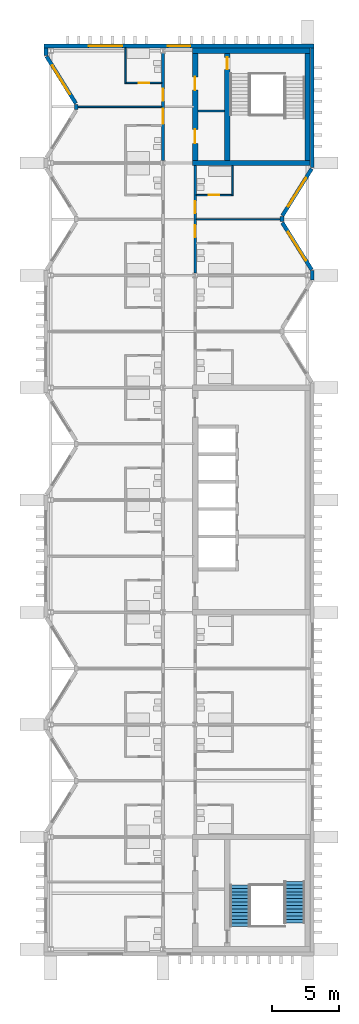
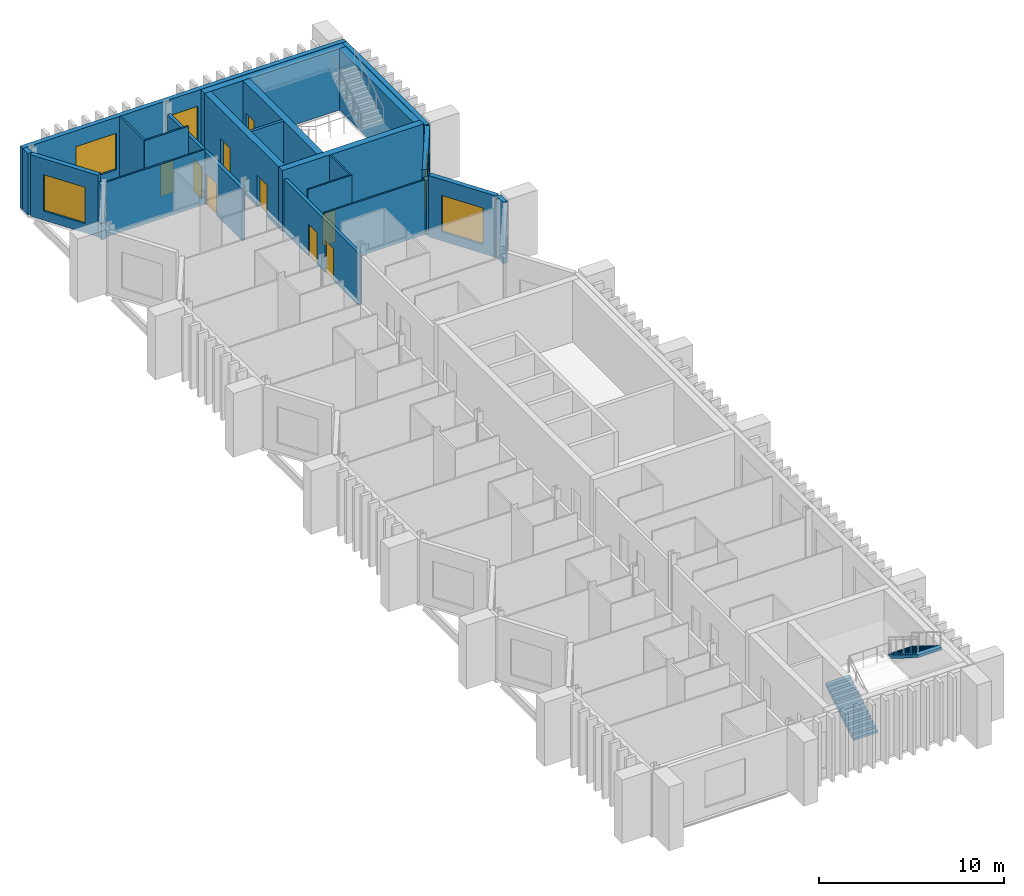
# One storey, part 8 of 11: 23 walls, 9 doors, 5 windows, 2 stair flights, 14 openings, 1 element without a shape of its own.
"""IFC4 building model written with IfcOpenShell, lengths in metres."""

from ifc_helpers import new_model, si_unit, direction, frame, frame_2d, origin, place, context, subcontext, project, spatial, polyline, rectangle, outline, extrude, material, layer, layer_set, type_object, element, fill, aggregate, save


model = new_model("IFC4")

# Units and contexts
model_context = context("Model", 3, precision=1e-05, world=origin(), true_north=direction((0.0, 1.0)))
body_context = subcontext(model_context, "Body", "Model", "MODEL_VIEW")
ifc_project = project(units=[si_unit("LENGTHUNIT", "METRE"), si_unit("AREAUNIT", "SQUARE_METRE"), si_unit("VOLUMEUNIT", "CUBIC_METRE"), si_unit("PLANEANGLEUNIT", "RADIAN"), si_unit("MASSUNIT", "GRAM", prefix="KILO")], contexts=[model_context])

# Site, building, storey
site_placement = place(None, origin())
site = spatial("IfcSite", under=ifc_project, at=site_placement, CompositionType="ELEMENT")
building_placement = place(site_placement, origin())
building = spatial("IfcBuilding", under=site, at=building_placement, Name="Cresset Court Congress Hotel", CompositionType="ELEMENT")
storey_placement = place(building_placement, frame((0.0, 0.0, 39.60009765625)))
storey = spatial("IfcBuildingStorey", under=building, at=storey_placement, Name="L09", CompositionType="ELEMENT", Elevation=39.60009765625)

# Wall, openings, doors
ifc_material_1 = material(Name="Gypsum board partition")
ifc_layer_1 = layer(ifc_material_1, 0.199951171875)
ifc_layer_set_1 = layer_set([ifc_layer_1], Name="Corridor wall 200")
wall_type_1 = type_object("IfcWallType", Name="Corridor wall 200", PredefinedType="PARTITIONING", material=ifc_layer_set_1)
wall_1_placement = place(storey_placement, frame((165.60009765625, 58.97509765625, 0.0), z_axis=(0.0, 0.0, 1.0), x_axis=(0.0, 1.0, 0.0)))
wall_1 = element("IfcWall", 1, at=wall_1_placement, inside=storey, type_object=wall_type_1, Name="A.wl.L09.077", PredefinedType="PARTITIONING", context=body_context, shape_type="SweptSolid", body=[
    extrude(rectangle(XDim=8.0498046875, YDim=0.199951171875, at=frame_2d((4.02490234375, 0.0))), origin(), (0.0, 0.0, 1.0), 3.449951171875),
])
opening_1_placement = place(wall_1_placement, frame((2.75, 0.0, 0.0)))
opening_1 = element("IfcOpeningElement", 2, at=opening_1_placement, cuts=wall_1, Name="Opening DA-09-30", PredefinedType="OPENING", context=body_context, shape_type="SweptSolid", body=[
    extrude(rectangle(XDim=1.14990234375, YDim=2.10009765625, at=frame_2d((0.574951171875, 1.050048828125))), frame((0.0, 0.10986328125, 0.0), z_axis=(0.0, -1.0, 0.0), x_axis=(1.0, 0.0, 0.0)), (0.0, 0.0, 1.0), 0.219970703125),
])
opening_2_placement = place(wall_1_placement, frame((4.47509765625, 0.0, 0.0)))
opening_2 = element("IfcOpeningElement", 3, at=opening_2_placement, cuts=wall_1, Name="Opening DA-09-32", PredefinedType="OPENING", context=body_context, shape_type="SweptSolid", body=[
    extrude(rectangle(XDim=0.89990234375, YDim=2.10009765625, at=frame_2d((0.449951171875, 1.050048828125))), frame((0.0, 0.10986328125, 0.0), z_axis=(0.0, -1.0, 0.0), x_axis=(1.0, 0.0, 0.0)), (0.0, 0.0, 1.0), 0.219970703125),
])
ifc_material_2 = material(Name="timber", Category="wood")
door_type_1 = type_object("IfcDoorType", Name="Accessible guest-room entry door 1150x2100 FD30S", OperationType="SINGLE_SWING_LEFT", PredefinedType="DOOR", material=ifc_material_2)
door_1_placement = place(opening_1_placement, origin())
door_1 = element("IfcDoor", 4, at=door_1_placement, inside=storey, type_object=door_type_1, Name="Door DA-09-30", OperationType="SINGLE_SWING_RIGHT", OverallHeight=2.10009765625, OverallWidth=1.14990234375, PredefinedType="DOOR", context=body_context, shape_type="SweptSolid", body=[
    extrude(rectangle(XDim=1.14990234375, YDim=2.10009765625, at=frame_2d((0.574951171875, 1.050048828125))), frame((0.0, 0.02490234375, 0.0), z_axis=(0.0, -1.0, 0.0), x_axis=(1.0, 0.0, 0.0)), (0.0, 0.0, 1.0), 0.050048828125),
])
fill(opening_1, door_1)
ifc_material_3 = material(Name="timber", Category="wood")
door_type_2 = type_object("IfcDoorType", Name="Guest-room entry door 900x2100 FD30S", OperationType="SINGLE_SWING_LEFT", PredefinedType="DOOR", material=ifc_material_3)
door_2_placement = place(opening_2_placement, origin())
door_2 = element("IfcDoor", 5, at=door_2_placement, inside=storey, type_object=door_type_2, Name="Door DA-09-32", OperationType="SINGLE_SWING_LEFT", OverallHeight=2.10009765625, OverallWidth=0.89990234375, PredefinedType="DOOR", context=body_context, shape_type="SweptSolid", body=[
    extrude(rectangle(XDim=0.89990234375, YDim=2.10009765625, at=frame_2d((0.449951171875, 1.050048828125))), frame((0.0, 0.02490234375, 0.0), z_axis=(0.0, -1.0, 0.0), x_axis=(1.0, 0.0, 0.0)), (0.0, 0.0, 1.0), 0.050048828125),
])
fill(opening_2, door_2)

wall_2_placement = place(storey_placement, frame((168.0, 50.574951171875, 0.0), z_axis=(0.0, 0.0, 1.0), x_axis=(0.0, 1.0, 0.0)))
wall_2 = element("IfcWall", 6, at=wall_2_placement, inside=storey, type_object=wall_type_1, Name="A.wl.L09.081", PredefinedType="PARTITIONING", context=body_context, shape_type="SweptSolid", body=[
    extrude(rectangle(XDim=8.025146484375, YDim=0.199951171875, at=frame_2d((4.0126953125, 0.0))), origin(), (0.0, 0.0, 1.0), 3.449951171875),
])
opening_3_placement = place(wall_2_placement, frame((2.675048828125, 0.0, 0.0)))
opening_3 = element("IfcOpeningElement", 7, at=opening_3_placement, cuts=wall_2, Name="Opening DA-09-46", PredefinedType="OPENING", context=body_context, shape_type="SweptSolid", body=[
    extrude(rectangle(XDim=0.89990234375, YDim=2.10009765625, at=frame_2d((0.449951171875, 1.050048828125))), frame((0.0, 0.10986328125, 0.0), z_axis=(0.0, -1.0, 0.0), x_axis=(1.0, 0.0, 0.0)), (0.0, 0.0, 1.0), 0.219970703125),
])
opening_4_placement = place(wall_2_placement, frame((4.47509765625, 0.0, 0.0)))
opening_4 = element("IfcOpeningElement", 8, at=opening_4_placement, cuts=wall_2, Name="Opening DA-09-48", PredefinedType="OPENING", context=body_context, shape_type="SweptSolid", body=[
    extrude(rectangle(XDim=0.89990234375, YDim=2.10009765625, at=frame_2d((0.449951171875, 1.050048828125))), frame((0.0, 0.10986328125, 0.0), z_axis=(0.0, -1.0, 0.0), x_axis=(1.0, 0.0, 0.0)), (0.0, 0.0, 1.0), 0.219970703125),
])
door_3_placement = place(opening_3_placement, origin())
door_3 = element("IfcDoor", 9, at=door_3_placement, inside=storey, type_object=door_type_2, Name="Door DA-09-46", OperationType="SINGLE_SWING_RIGHT", OverallHeight=2.10009765625, OverallWidth=0.89990234375, PredefinedType="DOOR", context=body_context, shape_type="SweptSolid", body=[
    extrude(rectangle(XDim=0.89990234375, YDim=2.10009765625, at=frame_2d((0.449951171875, 1.050048828125))), frame((0.0, 0.02490234375, 0.0), z_axis=(0.0, -1.0, 0.0), x_axis=(1.0, 0.0, 0.0)), (0.0, 0.0, 1.0), 0.050048828125),
])
fill(opening_3, door_3)
door_4_placement = place(opening_4_placement, origin())
door_4 = element("IfcDoor", 10, at=door_4_placement, inside=storey, type_object=door_type_2, Name="Door DA-09-48", OperationType="SINGLE_SWING_LEFT", OverallHeight=2.10009765625, OverallWidth=0.89990234375, PredefinedType="DOOR", context=body_context, shape_type="SweptSolid", body=[
    extrude(rectangle(XDim=0.89990234375, YDim=2.10009765625, at=frame_2d((0.449951171875, 1.050048828125))), frame((0.0, 0.02490234375, 0.0), z_axis=(0.0, -1.0, 0.0), x_axis=(1.0, 0.0, 0.0)), (0.0, 0.0, 1.0), 0.050048828125),
])
fill(opening_4, door_4)

# Wall
ifc_material_4 = material(Name="Gypsum board partition")
ifc_layer_2 = layer(ifc_material_4, 0.10009765625)
ifc_layer_set_2 = layer_set([ifc_layer_2], Name="En-suite wall 100")
wall_type_2 = type_object("IfcWallType", Name="En-suite wall 100", PredefinedType="PARTITIONING", material=ifc_layer_set_2)
wall_3_placement = place(storey_placement, frame((162.800048828125, 64.800048828125, 0.0), z_axis=(0.0, 0.0, 1.0), x_axis=(0.0, 1.0, 0.0)))
element("IfcWall", 11, at=wall_3_placement, inside=storey, type_object=wall_type_2, Name="A.wl.L09.031", PredefinedType="PARTITIONING", context=body_context, shape_type="SweptSolid", body=[
    extrude(rectangle(XDim=2.619873046875, YDim=0.10009765625, at=frame_2d((1.31005859375, 0.0))), origin(), (0.0, 0.0, 1.0), 4.0498046875),
])

# Wall, opening, door
wall_4_placement = place(storey_placement, frame((162.75, 64.800048828125, 0.0), z_axis=(0.0, 0.0, 1.0), x_axis=(1.0, 0.0, 0.0)))
wall_4 = element("IfcWall", 12, at=wall_4_placement, inside=storey, type_object=wall_type_2, Name="A.wl.L09.032", PredefinedType="PARTITIONING", context=body_context, shape_type="SweptSolid", body=[
    extrude(rectangle(XDim=2.75, YDim=0.10009765625, at=frame_2d((1.375, 0.0))), origin(), (0.0, 0.0, 1.0), 4.0498046875),
])
opening_5_placement = place(wall_4_placement, frame((1.030029296875, 0.0, 0.0)))
opening_5 = element("IfcOpeningElement", 13, at=opening_5_placement, cuts=wall_4, Name="Opening DA-09-31", PredefinedType="OPENING", context=body_context, shape_type="SweptSolid", body=[
    extrude(rectangle(XDim=0.800048828125, YDim=2.10009765625, at=frame_2d((0.39990234375, 1.050048828125))), frame((0.0, 0.06005859375, 0.0), z_axis=(0.0, -1.0, 0.0), x_axis=(1.0, 0.0, 0.0)), (0.0, 0.0, 1.0), 0.1201171875),
])
ifc_material_5 = material(Name="timber", Category="wood")
door_type_3 = type_object("IfcDoorType", Name="En-suite door 800x2100", OperationType="SINGLE_SWING_LEFT", PredefinedType="DOOR", material=ifc_material_5)
door_5_placement = place(opening_5_placement, origin())
door_5 = element("IfcDoor", 14, at=door_5_placement, inside=storey, type_object=door_type_3, Name="Door DA-09-31", OperationType="SINGLE_SWING_LEFT", OverallHeight=2.10009765625, OverallWidth=0.800048828125, PredefinedType="DOOR", context=body_context, shape_type="SweptSolid", body=[
    extrude(rectangle(XDim=0.800048828125, YDim=2.10009765625, at=frame_2d((0.39990234375, 1.050048828125))), frame((0.0, 0.02490234375, 0.0), z_axis=(0.0, -1.0, 0.0), x_axis=(1.0, 0.0, 0.0)), (0.0, 0.0, 1.0), 0.050048828125),
])
fill(opening_5, door_5)

# Wall
wall_5_placement = place(storey_placement, frame((170.800048828125, 56.39990234375, 0.0), z_axis=(0.0, 0.0, 1.0), x_axis=(0.0, 1.0, 0.0)))
element("IfcWall", 15, at=wall_5_placement, inside=storey, type_object=wall_type_2, Name="A.wl.L09.047", PredefinedType="PARTITIONING", context=body_context, shape_type="SweptSolid", body=[
    extrude(rectangle(XDim=2.2001953125, YDim=0.10009765625, at=frame_2d((1.10009765625, 0.0))), origin(), (0.0, 0.0, 1.0), 4.0498046875),
])

# Wall, opening, door
wall_6_placement = place(storey_placement, frame((170.85009765625, 56.39990234375, 0.0), z_axis=(0.0, 0.0, 1.0), x_axis=(-1.0, 0.0, 0.0)))
wall_6 = element("IfcWall", 16, at=wall_6_placement, inside=storey, type_object=wall_type_2, Name="A.wl.L09.048", PredefinedType="PARTITIONING", context=body_context, shape_type="SweptSolid", body=[
    extrude(rectangle(XDim=2.75, YDim=0.10009765625, at=frame_2d((1.375, 0.0))), origin(), (0.0, 0.0, 1.0), 4.0498046875),
])
opening_6_placement = place(wall_6_placement, frame((1.030029296875, 0.0, 0.0)))
opening_6 = element("IfcOpeningElement", 17, at=opening_6_placement, cuts=wall_6, Name="Opening DA-09-47", PredefinedType="OPENING", context=body_context, shape_type="SweptSolid", body=[
    extrude(rectangle(XDim=0.800048828125, YDim=2.10009765625, at=frame_2d((0.39990234375, 1.050048828125))), frame((0.0, 0.06005859375, 0.0), z_axis=(0.0, -1.0, 0.0), x_axis=(1.0, 0.0, 0.0)), (0.0, 0.0, 1.0), 0.1201171875),
])
door_6_placement = place(opening_6_placement, origin())
door_6 = element("IfcDoor", 18, at=door_6_placement, inside=storey, type_object=door_type_3, Name="Door DA-09-47", OperationType="SINGLE_SWING_LEFT", OverallHeight=2.10009765625, OverallWidth=0.800048828125, PredefinedType="DOOR", context=body_context, shape_type="SweptSolid", body=[
    extrude(rectangle(XDim=0.800048828125, YDim=2.10009765625, at=frame_2d((0.39990234375, 1.050048828125))), frame((0.0, 0.02490234375, 0.0), z_axis=(0.0, -1.0, 0.0), x_axis=(1.0, 0.0, 0.0)), (0.0, 0.0, 1.0), 0.050048828125),
])
fill(opening_6, door_6)

# Wall, opening, window
ifc_material_6 = material(Name="Precast concrete C50", Category="concrete")
ifc_layer_3 = layer(ifc_material_6, 0.280029296875)
ifc_layer_set_3 = layer_set([ifc_layer_3], Name="External wall 280")
wall_type_3 = type_object("IfcWallType", Name="External wall 280", PredefinedType="SOLIDWALL", material=ifc_layer_set_3)
wall_7_placement = place(storey_placement, frame((159.07861328125, 63.259033203125, 0.0), z_axis=(0.0, 0.0, 1.0), x_axis=(-0.529018946142, 0.848610013271, 0.0)))
wall_7 = element("IfcWall", 19, at=wall_7_placement, inside=storey, type_object=wall_type_3, Name="A.ew.L09.Wn.7.1", PredefinedType="SOLIDWALL", context=body_context, shape_type="SweptSolid", body=[
    extrude(rectangle(XDim=4.144287109375, YDim=0.280029296875, at=frame_2d((2.072265625, 0.0))), origin(), (0.0, 0.0, 1.0), 4.0498046875),
])
opening_7_placement = place(wall_7_placement, frame((0.812255859375, 0.0, 0.60009765625)))
opening_7 = element("IfcOpeningElement", 20, at=opening_7_placement, cuts=wall_7, Name="Opening NA-09-16", PredefinedType="OPENING", context=body_context, shape_type="SweptSolid", body=[
    extrude(rectangle(XDim=2.52001953125, YDim=2.39990234375, at=frame_2d((1.260009765625, 1.199951171875))), frame((0.0, 0.14990234375, 0.0), z_axis=(0.0, -1.0, 0.0), x_axis=(1.0, 0.0, 0.0)), (0.0, 0.0, 1.0), 0.300048828125),
])
ifc_material_7 = material(Name="Aluminium and glass", Category="aluminium")
window_type_1 = type_object("IfcWindowType", Name="Window 2520x2400", PartitioningType="SINGLE_PANEL", PredefinedType="WINDOW", material=ifc_material_7)
window_1_placement = place(opening_7_placement, origin())
window_1 = element("IfcWindow", 21, at=window_1_placement, inside=storey, type_object=window_type_1, Name="Window NA-09-16", OverallHeight=2.39990234375, OverallWidth=2.52001953125, PartitioningType="SINGLE_PANEL", PredefinedType="WINDOW", context=body_context, shape_type="SweptSolid", body=[
    extrude(rectangle(XDim=2.52001953125, YDim=2.39990234375, at=frame_2d((1.260009765625, 1.199951171875))), frame((0.0, 0.030029296875, 0.0), z_axis=(0.0, -1.0, 0.0), x_axis=(1.0, 0.0, 0.0)), (0.0, 0.0, 1.0), 0.06005859375),
])
fill(opening_7, window_1)

# Walls
wall_8_placement = place(storey_placement, frame((159.099609375, 62.815185546875, 0.0), z_axis=(0.0, 0.0, 1.0), x_axis=(0.0, 1.0, 0.0)))
element("IfcWall", 22, at=wall_8_placement, inside=storey, type_object=wall_type_3, Name="A.ew.L09.Wn.7.2", PredefinedType="SOLIDWALL", context=body_context, shape_type="SweptSolid", body=[
    extrude(rectangle(XDim=0.36962890625, YDim=0.280029296875, at=frame_2d((0.184814453125, 0.0))), origin(), (0.0, 0.0, 1.0), 3.60400390625),
])
wall_9_placement = place(storey_placement, frame((156.840087890625, 66.85009765625, 0.0), z_axis=(0.0, 0.0, 1.0), x_axis=(0.0, 1.0, 0.0)))
element("IfcWall", 23, at=wall_9_placement, inside=storey, type_object=wall_type_3, Name="A.ew.L09.W.6", PredefinedType="SOLIDWALL", context=body_context, shape_type="SweptSolid", body=[
    extrude(rectangle(XDim=0.56982421875, YDim=0.280029296875, at=frame_2d((0.284912109375, 0.0))), origin(), (0.0, 0.0, 1.0), 4.0498046875),
])
wall_10_placement = place(storey_placement, frame((176.760009765625, 50.050048828125, 0.0), z_axis=(0.0, 0.0, 1.0), x_axis=(0.0, 1.0, 0.0)))
element("IfcWall", 24, at=wall_10_placement, inside=storey, type_object=wall_type_3, Name="A.ew.L09.E.2", PredefinedType="SOLIDWALL", context=body_context, shape_type="SweptSolid", body=[
    extrude(rectangle(XDim=0.699951171875, YDim=0.280029296875, at=frame_2d((0.35009765625, 0.0))), origin(), (0.0, 0.0, 1.0), 4.0498046875),
])

# Wall, opening, window
wall_11_placement = place(storey_placement, frame((176.7138671875, 50.82421875, 0.0), z_axis=(0.0, 0.0, 1.0), x_axis=(-0.529018946142, 0.848610013271, 0.0)))
wall_11 = element("IfcWall", 25, at=wall_11_placement, inside=storey, type_object=wall_type_3, Name="A.ew.L09.En.6.0", PredefinedType="SOLIDWALL", context=body_context, shape_type="SweptSolid", body=[
    extrude(rectangle(XDim=4.144287109375, YDim=0.280029296875, at=frame_2d((2.072265625, 0.0))), origin(), (0.0, 0.0, 1.0), 4.0498046875),
])
opening_8_placement = place(wall_11_placement, frame((0.81201171875, 0.0, 0.60009765625)))
opening_8 = element("IfcOpeningElement", 26, at=opening_8_placement, cuts=wall_11, Name="Opening NA-09-23", PredefinedType="OPENING", context=body_context, shape_type="SweptSolid", body=[
    extrude(rectangle(XDim=2.52001953125, YDim=2.39990234375, at=frame_2d((1.260009765625, 1.199951171875))), frame((0.0, 0.14990234375, 0.0), z_axis=(0.0, -1.0, 0.0), x_axis=(1.0, 0.0, 0.0)), (0.0, 0.0, 1.0), 0.300048828125),
])
window_2_placement = place(opening_8_placement, origin())
window_2 = element("IfcWindow", 27, at=window_2_placement, inside=storey, type_object=window_type_1, Name="Window NA-09-23", OverallHeight=2.39990234375, OverallWidth=2.52001953125, PartitioningType="SINGLE_PANEL", PredefinedType="WINDOW", context=body_context, shape_type="SweptSolid", body=[
    extrude(rectangle(XDim=2.52001953125, YDim=2.39990234375, at=frame_2d((1.260009765625, 1.199951171875))), frame((0.0, 0.030029296875, 0.0), z_axis=(0.0, -1.0, 0.0), x_axis=(1.0, 0.0, 0.0)), (0.0, 0.0, 1.0), 0.06005859375),
])
fill(opening_8, window_2)

wall_12_placement = place(storey_placement, frame((174.521484375, 54.85888671875, 0.0), z_axis=(0.0, 0.0, 1.0), x_axis=(0.528992500338, 0.848626498871, 0.0)))
wall_12 = element("IfcWall", 28, at=wall_12_placement, inside=storey, type_object=wall_type_3, Name="A.ew.L09.En.6.1", PredefinedType="SOLIDWALL", context=body_context, shape_type="SweptSolid", body=[
    extrude(rectangle(XDim=4.14453125, YDim=0.280029296875, at=frame_2d((2.072265625, 0.0))), origin(), (0.0, 0.0, 1.0), 4.0498046875),
])
opening_9_placement = place(wall_12_placement, frame((0.81201171875, 0.0, 0.60009765625)))
opening_9 = element("IfcOpeningElement", 29, at=opening_9_placement, cuts=wall_12, Name="Opening NA-09-24", PredefinedType="OPENING", context=body_context, shape_type="SweptSolid", body=[
    extrude(rectangle(XDim=2.52001953125, YDim=2.39990234375, at=frame_2d((1.260009765625, 1.199951171875))), frame((0.0, 0.14990234375, 0.0), z_axis=(0.0, -1.0, 0.0), x_axis=(1.0, 0.0, 0.0)), (0.0, 0.0, 1.0), 0.300048828125),
])
window_3_placement = place(opening_9_placement, origin())
window_3 = element("IfcWindow", 30, at=window_3_placement, inside=storey, type_object=window_type_1, Name="Window NA-09-24", OverallHeight=2.39990234375, OverallWidth=2.52001953125, PartitioningType="SINGLE_PANEL", PredefinedType="WINDOW", context=body_context, shape_type="SweptSolid", body=[
    extrude(rectangle(XDim=2.52001953125, YDim=2.39990234375, at=frame_2d((1.260009765625, 1.199951171875))), frame((0.0, 0.030029296875, 0.0), z_axis=(0.0, -1.0, 0.0), x_axis=(1.0, 0.0, 0.0)), (0.0, 0.0, 1.0), 0.06005859375),
])
fill(opening_9, window_3)

# Walls
wall_13_placement = place(storey_placement, frame((174.500244140625, 54.4150390625, 0.0), z_axis=(0.0, 0.0, 1.0), x_axis=(0.0, 1.0, 0.0)))
element("IfcWall", 31, at=wall_13_placement, inside=storey, type_object=wall_type_3, Name="A.ew.L09.En.6.2", PredefinedType="SOLIDWALL", context=body_context, shape_type="SweptSolid", body=[
    extrude(rectangle(XDim=0.369873046875, YDim=0.280029296875, at=frame_2d((0.18505859375, 0.0))), origin(), (0.0, 0.0, 1.0), 3.60400390625),
])
wall_14_placement = place(storey_placement, frame((176.760009765625, 58.449951171875, 0.0), z_axis=(0.0, 0.0, 1.0), x_axis=(0.0, 1.0, 0.0)))
element("IfcWall", 32, at=wall_14_placement, inside=storey, type_object=wall_type_3, Name="A.ew.L09.E.3", PredefinedType="SOLIDWALL", context=body_context, shape_type="SweptSolid", body=[
    extrude(rectangle(XDim=8.969970703125, YDim=0.280029296875, at=frame_2d((4.48486328125, 0.0))), origin(), (0.0, 0.0, 1.0), 4.0498046875),
])

# Wall, openings, windows
ifc_material_8 = material(Name="Precast concrete C50", Category="concrete")
ifc_layer_4 = layer(ifc_material_8, 0.280029296875)
ifc_layer_set_4 = layer_set([ifc_layer_4], Name="Gable end wall 280")
wall_type_4 = type_object("IfcWallType", Name="Gable end wall 280", PredefinedType="SOLIDWALL", material=ifc_layer_set_4)
wall_15_placement = place(storey_placement, frame((156.699951171875, 67.56005859375, 0.0), z_axis=(0.0, 0.0, 1.0), x_axis=(1.0, 0.0, 0.0)))
wall_15 = element("IfcWall", 33, at=wall_15_placement, inside=storey, type_object=wall_type_4, Name="A.ew.L09.N.1", PredefinedType="SOLIDWALL", context=body_context, shape_type="SweptSolid", body=[
    extrude(rectangle(XDim=20.199951171875, YDim=0.280029296875, at=frame_2d((10.10009765625, 0.0))), origin(), (0.0, 0.0, 1.0), 4.0498046875),
])
opening_10_placement = place(wall_15_placement, frame((9.260009765625, 0.0, 0.60009765625)))
opening_10 = element("IfcOpeningElement", 34, at=opening_10_placement, cuts=wall_15, Name="Opening NA-09-27", PredefinedType="OPENING", context=body_context, shape_type="SweptSolid", body=[
    extrude(rectangle(XDim=1.679931640625, YDim=2.39990234375, at=frame_2d((0.83984375, 1.199951171875))), frame((0.0, 0.14990234375, 0.0), z_axis=(0.0, -1.0, 0.0), x_axis=(1.0, 0.0, 0.0)), (0.0, 0.0, 1.0), 0.300048828125),
])
opening_11_placement = place(wall_15_placement, frame((3.340087890625, 0.0, 0.60009765625)))
opening_11 = element("IfcOpeningElement", 35, at=opening_11_placement, cuts=wall_15, Name="Opening NA-09-28", PredefinedType="OPENING", context=body_context, shape_type="SweptSolid", body=[
    extrude(rectangle(XDim=2.52001953125, YDim=2.39990234375, at=frame_2d((1.260009765625, 1.199951171875))), frame((0.0, 0.14990234375, 0.0), z_axis=(0.0, -1.0, 0.0), x_axis=(1.0, 0.0, 0.0)), (0.0, 0.0, 1.0), 0.300048828125),
])
ifc_material_9 = material(Name="Aluminium and glass", Category="aluminium")
window_type_2 = type_object("IfcWindowType", Name="Window 1680x2400", PartitioningType="SINGLE_PANEL", PredefinedType="WINDOW", material=ifc_material_9)
window_4_placement = place(opening_10_placement, origin())
window_4 = element("IfcWindow", 36, at=window_4_placement, inside=storey, type_object=window_type_2, Name="Window NA-09-27", OverallHeight=2.39990234375, OverallWidth=1.679931640625, PartitioningType="SINGLE_PANEL", PredefinedType="WINDOW", context=body_context, shape_type="SweptSolid", body=[
    extrude(rectangle(XDim=1.679931640625, YDim=2.39990234375, at=frame_2d((0.83984375, 1.199951171875))), frame((0.0, 0.030029296875, 0.0), z_axis=(0.0, -1.0, 0.0), x_axis=(1.0, 0.0, 0.0)), (0.0, 0.0, 1.0), 0.06005859375),
])
fill(opening_10, window_4)
window_5_placement = place(opening_11_placement, origin())
window_5 = element("IfcWindow", 37, at=window_5_placement, inside=storey, type_object=window_type_1, Name="Window NA-09-28", OverallHeight=2.39990234375, OverallWidth=2.52001953125, PartitioningType="SINGLE_PANEL", PredefinedType="WINDOW", context=body_context, shape_type="SweptSolid", body=[
    extrude(rectangle(XDim=2.52001953125, YDim=2.39990234375, at=frame_2d((1.260009765625, 1.199951171875))), frame((0.0, 0.030029296875, 0.0), z_axis=(0.0, -1.0, 0.0), x_axis=(1.0, 0.0, 0.0)), (0.0, 0.0, 1.0), 0.06005859375),
])
fill(opening_11, window_5)

# Walls
ifc_material_10 = material(Name="Gypsum board partition")
ifc_layer_5 = layer(ifc_material_10, 0.10009765625)
ifc_layer_set_5 = layer_set([ifc_layer_5], Name="Guest-room partition 100")
wall_type_5 = type_object("IfcWallType", Name="Guest-room partition 100", PredefinedType="PARTITIONING", material=ifc_layer_set_5)
for number, where, z_axis, x_axis, name in (
    (38, (159.23974609375, 63.0, 0.0), (0.0, 0.0, 1.0), (1.0, 0.0, 0.0), "A.wl.L09.065"),
    (39, (168.10009765625, 54.60009765625, 0.0), (0.0, 0.0, 1.0), (1.0, 0.0, 0.0), "A.wl.L09.069"),
):
    element("IfcWall", number, at=place(storey_placement, frame(where, z_axis=z_axis, x_axis=x_axis)), inside=storey, type_object=wall_type_5, Name=name, PredefinedType="PARTITIONING", context=body_context, shape_type="SweptSolid", body=[
        extrude(rectangle(XDim=6.26025390625, YDim=0.10009765625, at=frame_2d((3.130126953125, 0.0))), origin(), (0.0, 0.0, 1.0), 3.60400390625),
    ])
ifc_material_11 = material(Name="Concrete block wall", Category="concrete")
ifc_layer_6 = layer(ifc_material_11, 0.175048828125)
ifc_layer_set_6 = layer_set([ifc_layer_6], Name="Riser shaft wall 175")
wall_type_6 = type_object("IfcWallType", Name="Riser shaft wall 175", PredefinedType="PARTITIONING", material=ifc_layer_set_6)
wall_16_placement = place(storey_placement, frame((168.199951171875, 62.699951171875, 0.0), z_axis=(0.0, 0.0, 1.0), x_axis=(1.0, 0.0, 0.0)))
element("IfcWall", 40, at=wall_16_placement, inside=storey, type_object=wall_type_6, Name="A.wl.L09.085", PredefinedType="PARTITIONING", context=body_context, shape_type="SweptSolid", body=[
    extrude(rectangle(XDim=2.0, YDim=0.175048828125, at=frame_2d((1.0, 0.0))), origin(), (0.0, 0.0, 1.0), 4.0498046875),
])
ifc_material_12 = material(Name="Concrete C50", Category="concrete")
ifc_layer_7 = layer(ifc_material_12, 0.39990234375)
ifc_layer_set_7 = layer_set([ifc_layer_7], Name="Stair core wall 400")
wall_type_7 = type_object("IfcWallType", Name="Stair core wall 400", PredefinedType="SOLIDWALL", material=ifc_layer_set_7)
for number, where, z_axis, x_axis, name in (
    (41, (167.800048828125, 58.800048828125, 0.0), (0.0, 0.0, 1.0), (1.0, 0.0, 0.0), "A.cw.ST-A2.L09.S"),
    (42, (167.800048828125, 67.199951171875, 0.0), (0.0, 0.0, 1.0), (1.0, 0.0, 0.0), "A.cw.ST-A2.L09.N"),
):
    element("IfcWall", number, at=place(storey_placement, frame(where, z_axis=z_axis, x_axis=x_axis)), inside=storey, type_object=wall_type_7, Name=name, PredefinedType="SOLIDWALL", context=body_context, shape_type="SweptSolid", body=[
        extrude(rectangle(XDim=8.800048828125, YDim=0.39990234375, at=frame_2d((4.39990234375, 0.0))), origin(), (0.0, 0.0, 1.0), 4.0498046875),
    ])

# Wall, openings, doors
wall_17_placement = place(storey_placement, frame((168.0, 59.0, 0.0), z_axis=(0.0, 0.0, 1.0), x_axis=(0.0, 1.0, 0.0)))
wall_17 = element("IfcWall", 43, at=wall_17_placement, inside=storey, type_object=wall_type_7, Name="A.cw.ST-A2.L09.W", PredefinedType="SOLIDWALL", context=body_context, shape_type="SweptSolid", body=[
    extrude(rectangle(XDim=8.0, YDim=0.39990234375, at=frame_2d((4.0, 0.0))), origin(), (0.0, 0.0, 1.0), 4.0498046875),
])
opening_12_placement = place(wall_17_placement, frame((5.25, 0.0, 0.0)))
opening_12 = element("IfcOpeningElement", 44, at=opening_12_placement, cuts=wall_17, Name="Opening DA-09-53", PredefinedType="OPENING", context=body_context, shape_type="SweptSolid", body=[
    extrude(rectangle(XDim=1.0, YDim=2.10009765625, at=frame_2d((0.5, 1.050048828125))), frame((0.0, 0.2099609375, 0.0), z_axis=(0.0, -1.0, 0.0), x_axis=(1.0, 0.0, 0.0)), (0.0, 0.0, 1.0), 0.419921875),
])
opening_13_placement = place(wall_17_placement, frame((1.27490234375, 0.0, 0.0)))
opening_13 = element("IfcOpeningElement", 45, at=opening_13_placement, cuts=wall_17, Name="Opening DA-09-54", PredefinedType="OPENING", context=body_context, shape_type="SweptSolid", body=[
    extrude(rectangle(XDim=1.050048828125, YDim=2.10009765625, at=frame_2d((0.52490234375, 1.050048828125))), frame((0.0, 0.2099609375, 0.0), z_axis=(0.0, -1.0, 0.0), x_axis=(1.0, 0.0, 0.0)), (0.0, 0.0, 1.0), 0.419921875),
])
ifc_material_13 = material(Name="steel", Category="steel")
door_type_4 = type_object("IfcDoorType", Name="Housekeeping room door 1050x2100 FD30", OperationType="SINGLE_SWING_LEFT", PredefinedType="DOOR", material=ifc_material_13)
door_7_placement = place(opening_13_placement, origin())
door_7 = element("IfcDoor", 46, at=door_7_placement, inside=storey, type_object=door_type_4, Name="Door DA-09-54", OperationType="SINGLE_SWING_RIGHT", OverallHeight=2.10009765625, OverallWidth=1.050048828125, PredefinedType="DOOR", context=body_context, shape_type="SweptSolid", body=[
    extrude(rectangle(XDim=1.050048828125, YDim=2.10009765625, at=frame_2d((0.52490234375, 1.050048828125))), frame((0.0, 0.02490234375, 0.0), z_axis=(0.0, -1.0, 0.0), x_axis=(1.0, 0.0, 0.0)), (0.0, 0.0, 1.0), 0.050048828125),
])
fill(opening_13, door_7)
ifc_material_14 = material(Name="steel", Category="steel")
door_type_5 = type_object("IfcDoorType", Name="Lobby door 1000x2100 FD60", OperationType="SINGLE_SWING_LEFT", PredefinedType="DOOR", material=ifc_material_14)
door_8_placement = place(opening_12_placement, origin())
door_8 = element("IfcDoor", 47, at=door_8_placement, inside=storey, type_object=door_type_5, Name="Door DA-09-53", OperationType="SINGLE_SWING_LEFT", OverallHeight=2.10009765625, OverallWidth=1.0, PredefinedType="DOOR", context=body_context, shape_type="SweptSolid", body=[
    extrude(rectangle(XDim=1.0, YDim=2.10009765625, at=frame_2d((0.5, 1.050048828125))), frame((0.0, 0.02490234375, 0.0), z_axis=(0.0, -1.0, 0.0), x_axis=(1.0, 0.0, 0.0)), (0.0, 0.0, 1.0), 0.050048828125),
])
fill(opening_12, door_8)

# Wall
wall_18_placement = place(storey_placement, frame((176.39990234375, 59.0, 0.0), z_axis=(0.0, 0.0, 1.0), x_axis=(0.0, 1.0, 0.0)))
element("IfcWall", 48, at=wall_18_placement, inside=storey, type_object=wall_type_7, Name="A.cw.ST-A2.L09.E", PredefinedType="SOLIDWALL", context=body_context, shape_type="SweptSolid", body=[
    extrude(rectangle(XDim=8.0, YDim=0.39990234375, at=frame_2d((4.0, 0.0))), origin(), (0.0, 0.0, 1.0), 4.0498046875),
])

# Wall, opening, door
wall_19_placement = place(storey_placement, frame((170.39990234375, 59.0, 0.0), z_axis=(0.0, 0.0, 1.0), x_axis=(0.0, 1.0, 0.0)))
wall_19 = element("IfcWall", 49, at=wall_19_placement, inside=storey, type_object=wall_type_7, Name="A.wl.L09.084", PredefinedType="SOLIDWALL", context=body_context, shape_type="SweptSolid", body=[
    extrude(rectangle(XDim=8.0, YDim=0.39990234375, at=frame_2d((4.0, 0.0))), origin(), (0.0, 0.0, 1.0), 4.0498046875),
])
opening_14_placement = place(wall_19_placement, frame((6.800048828125, 0.0, 0.0)))
opening_14 = element("IfcOpeningElement", 50, at=opening_14_placement, cuts=wall_19, Name="Opening DA-09-52", PredefinedType="OPENING", context=body_context, shape_type="SweptSolid", body=[
    extrude(rectangle(XDim=0.89990234375, YDim=2.10009765625, at=frame_2d((0.449951171875, 1.050048828125))), frame((0.0, 0.2099609375, 0.0), z_axis=(0.0, -1.0, 0.0), x_axis=(1.0, 0.0, 0.0)), (0.0, 0.0, 1.0), 0.419921875),
])
ifc_material_15 = material(Name="steel", Category="steel")
door_type_6 = type_object("IfcDoorType", Name="Stair door 900x2100 FD60", OperationType="SINGLE_SWING_LEFT", PredefinedType="DOOR", material=ifc_material_15)
door_9_placement = place(opening_14_placement, origin())
door_9 = element("IfcDoor", 51, at=door_9_placement, inside=storey, type_object=door_type_6, Name="Door DA-09-52", OperationType="SINGLE_SWING_RIGHT", OverallHeight=2.10009765625, OverallWidth=0.89990234375, PredefinedType="DOOR", context=body_context, shape_type="SweptSolid", body=[
    extrude(rectangle(XDim=0.89990234375, YDim=2.10009765625, at=frame_2d((0.449951171875, 1.050048828125))), frame((0.0, 0.02490234375, 0.0), z_axis=(0.0, -1.0, 0.0), x_axis=(1.0, 0.0, 0.0)), (0.0, 0.0, 1.0), 0.050048828125),
])
fill(opening_14, door_9)

# Stair, stair flights
ifc_material_16 = material(Name="Concrete C40", Category="concrete")
stair_type = type_object("IfcStairType", Name="Concrete dog-leg stair 5600", PredefinedType="HALF_TURN_STAIR", material=ifc_material_16)
stair_placement = place(storey_placement, origin())
stair = element("IfcStair", 52, at=stair_placement, inside=storey, type_object=stair_type, Name="Stair A1 L09", PredefinedType="HALF_TURN_STAIR")
ifc_material_17 = material(Name="Concrete C40", Category="concrete")
stair_flight_type = type_object("IfcStairFlightType", Name="Concrete stair flight", PredefinedType="STRAIGHT", material=ifc_material_17)
stair_flight_1_placement = place(storey_placement, frame((171.35009765625, 1.699951171875, 0.0), z_axis=(0.0, 0.0, 1.0), x_axis=(0.0, 1.0, 0.0)))
stair_flight_1 = element("IfcStairFlight", 53, at=stair_flight_1_placement, type_object=stair_flight_type, Name="A-ST1 flight 1", NumberOfRisers=13, NumberOfTreads=12, PredefinedType="STRAIGHT", RiserHeight=0.161538462, TreadLength=0.26, context=body_context, shape_type="SweptSolid", body=[
    extrude(outline(polyline([(0.0, 0.0), (0.0, 0.16162109375), (0.260009765625, 0.16162109375), (0.260009765625, 0.322998046875), (0.52001953125, 0.322998046875), (0.52001953125, 0.484619140625), (0.780029296875, 0.484619140625), (0.780029296875, 0.646240234375), (1.0400390625, 0.646240234375), (1.0400390625, 0.8076171875), (1.300048828125, 0.8076171875), (1.300048828125, 0.96923828125), (1.56005859375, 0.96923828125), (1.56005859375, 1.130859375), (1.820068359375, 1.130859375), (1.820068359375, 1.292236328125), (2.080078125, 1.292236328125), (2.080078125, 1.453857421875), (2.340087890625, 1.453857421875), (2.340087890625, 1.615478515625), (2.60009765625, 1.615478515625), (2.60009765625, 1.77685546875), (2.860107421875, 1.77685546875), (2.860107421875, 1.9384765625), (3.1201171875, 1.9384765625), (3.1201171875, 2.10009765625), (3.1201171875, 1.761962890625), (0.283935546875, 0.0), (0.0, 0.0)])), frame((0.0, 0.75, 0.0), z_axis=(0.0, -1.0, 0.0), x_axis=(1.0, 0.0, 0.0)), (0.0, 0.0, 1.0), 1.5),
])
stair_flight_2_placement = place(storey_placement, frame((175.449951171875, 5.080078125, 2.099853515625), z_axis=(0.0, 0.0, 1.0), x_axis=(0.0, -1.0, 0.0)))
stair_flight_2 = element("IfcStairFlight", 54, at=stair_flight_2_placement, type_object=stair_flight_type, Name="A-ST1 flight 2", NumberOfRisers=13, NumberOfTreads=12, PredefinedType="STRAIGHT", RiserHeight=0.161538462, TreadLength=0.26, context=body_context, shape_type="SweptSolid", body=[
    extrude(outline(polyline([(0.0, 0.0), (0.0, 0.16162109375), (0.260009765625, 0.16162109375), (0.260009765625, 0.322998046875), (0.52001953125, 0.322998046875), (0.52001953125, 0.484619140625), (0.780029296875, 0.484619140625), (0.780029296875, 0.646240234375), (1.0400390625, 0.646240234375), (1.0400390625, 0.8076171875), (1.300048828125, 0.8076171875), (1.300048828125, 0.96923828125), (1.56005859375, 0.96923828125), (1.56005859375, 1.130859375), (1.820068359375, 1.130859375), (1.820068359375, 1.292236328125), (2.080078125, 1.292236328125), (2.080078125, 1.453857421875), (2.340087890625, 1.453857421875), (2.340087890625, 1.615478515625), (2.60009765625, 1.615478515625), (2.60009765625, 1.77685546875), (2.860107421875, 1.77685546875), (2.860107421875, 1.9384765625), (3.1201171875, 1.9384765625), (3.1201171875, 2.10009765625), (3.1201171875, 1.761962890625), (0.283935546875, 0.0), (0.0, 0.0)])), frame((0.0, 0.75, 0.0), z_axis=(0.0, -1.0, 0.0), x_axis=(1.0, 0.0, 0.0)), (0.0, 0.0, 1.0), 1.5),
])
aggregate(stair, [stair_flight_1, stair_flight_2])

save(model, "model.ifc")
